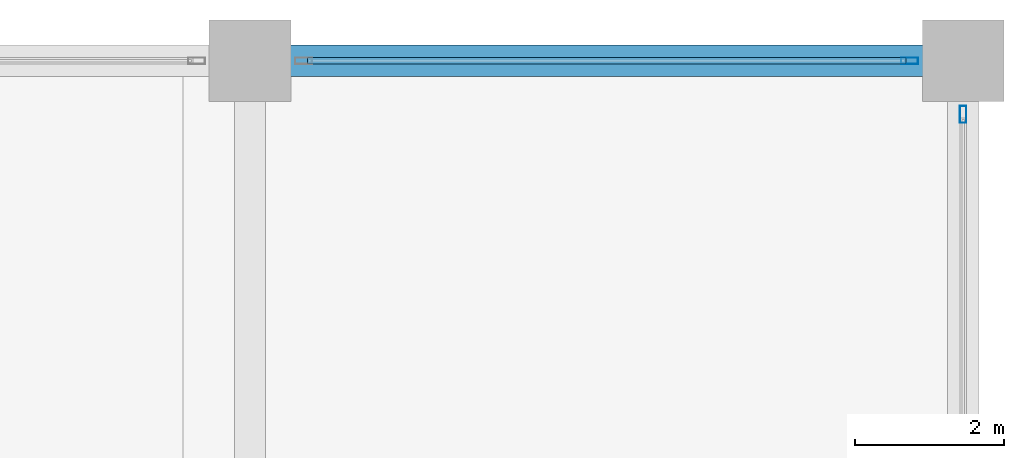
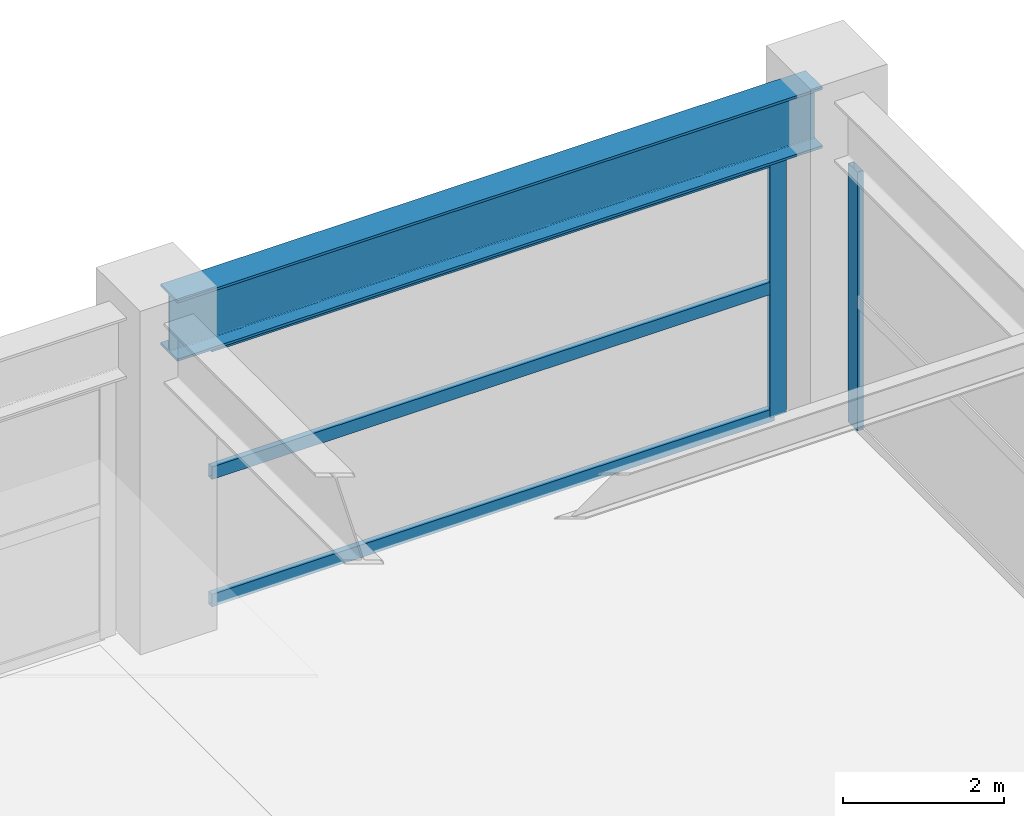
# One storey, part 28 of 35: 5 members, 1 beam, 2 elements without a shape of their own.
"""IFC4 building model written with IfcOpenShell, lengths in metres."""

from ifc_helpers import new_model, si_unit, direction, frame, origin, origin_2d, place, context, subcontext, project, spatial, hollow_rectangle, i_section, extrude, material, material_profile, profile_set, type_object, element, aggregate, save


model = new_model("IFC4")

# Units and contexts
model_context = context("Model", 3, precision=1e-05, world=origin(), true_north=direction((0.0, 1.0)))
body_context = subcontext(model_context, "Body", "Model", "MODEL_VIEW")
ifc_project = project(units=[si_unit("LENGTHUNIT", "METRE"), si_unit("AREAUNIT", "SQUARE_METRE"), si_unit("VOLUMEUNIT", "CUBIC_METRE"), si_unit("PLANEANGLEUNIT", "RADIAN"), si_unit("MASSUNIT", "GRAM", prefix="KILO")], contexts=[model_context])

# Site, building, storey
site_placement = place(None, origin())
site = spatial("IfcSite", under=ifc_project, at=site_placement, CompositionType="ELEMENT")
building_placement = place(site_placement, origin())
building = spatial("IfcBuilding", under=site, at=building_placement, Name="Kovane Verandah Tower", CompositionType="ELEMENT")
storey_placement = place(building_placement, frame((0.0, 0.0, 16.39990234375)))
storey = spatial("IfcBuildingStorey", under=building, at=storey_placement, Name="L03", CompositionType="ELEMENT", Elevation=16.39990234375)

# Beam
ifc_material_1 = material(Name="Steel S460", Category="steel")
ifc_material_profile_1 = material_profile(ifc_material_1, i_section(OverallWidth=0.42041015625, OverallDepth=0.9208984375, WebThickness=0.021484375, FlangeThickness=0.03662109375, FilletRadius=0.024169921875, at=origin_2d()), Name="UB914x419x388")
ifc_profile_set_1 = profile_set([ifc_material_profile_1], Name="Steel S460")
beam_type = type_object("IfcBeamType", Name="BM-UB914x388", PredefinedType="BEAM", material=ifc_profile_set_1)
beam_placement = place(storey_placement, frame((72.580078125, 56.5, 4.439697265625), z_axis=(1.0, 0.0, 0.0), x_axis=(0.0, 1.0, 0.0)))
element("IfcBeam", 1, at=beam_placement, inside=storey, type_object=beam_type, Name="L03 Podium Garden Transfer Girder X23", PredefinedType="BEAM", context=body_context, shape_type="SweptSolid", body=[
    extrude(i_section(OverallWidth=0.42041015625, OverallDepth=0.9208984375, WebThickness=0.021484375, FlangeThickness=0.03662109375, FilletRadius=0.024169921875, at=origin_2d()), origin(), (0.0, 0.0, 1.0), 9.239990234375),
])

# Curtain wall, member
ifc_material_2 = material(Name="Champagne Anodised Aluminium Frame with Low-E Clear Laminated Glass", Category="aluminium")
curtain_wall_type = type_object("IfcCurtainWallType", Name="CW-SYS-01-POD", PredefinedType="NOTDEFINED", material=ifc_material_2)
curtain_wall_1_placement = place(storey_placement, origin())
curtain_wall_1 = element("IfcCurtainWall", 2, at=curtain_wall_1_placement, inside=storey, type_object=curtain_wall_type, Name="L03 North Podium Curtain Wall Bay 7", PredefinedType="NOTDEFINED")
ifc_material_3 = material(Name="Champagne Anodised Aluminium 6063-T6", Category="aluminium")
ifc_material_profile_2 = material_profile(ifc_material_3, hollow_rectangle(XDim=0.0849609375, YDim=0.22998046875, WallThickness=0.00390625, at=origin_2d()), Name="AL85x230x4")
ifc_profile_set_2 = profile_set([ifc_material_profile_2], Name="Champagne Anodised Aluminium 6063-T6")
member_type_1 = type_object("IfcMemberType", Name="CW-MUL-85x230", PredefinedType="MULLION", material=ifc_profile_set_2)
member_1_placement = place(storey_placement, frame((81.280029296875, 56.5, 0.02001953125), z_axis=(0.0, 0.0, 1.0), x_axis=(0.0, 1.0, 0.0)))
member_1 = element("IfcMember", 3, at=member_1_placement, type_object=member_type_1, Name="L03 North Podium Curtain Wall Bay 7 Mullion 1", PredefinedType="MULLION", context=body_context, shape_type="SweptSolid", body=[
    extrude(hollow_rectangle(XDim=0.0849609375, YDim=0.22998046875, WallThickness=0.00390625, at=origin_2d()), origin(), (0.0, 0.0, 1.0), 3.919189453125),
])

curtain_wall_2_placement = place(storey_placement, origin())
curtain_wall_2 = element("IfcCurtainWall", 4, at=curtain_wall_2_placement, inside=storey, type_object=curtain_wall_type, Name="L03 East Podium Curtain Wall Bay 5", PredefinedType="NOTDEFINED")
member_2_placement = place(storey_placement, frame((82.0, 55.780029296875, 0.02001953125), z_axis=(0.0, 0.0, 1.0), x_axis=(1.0, 0.0, 0.0)))
member_2 = element("IfcMember", 5, at=member_2_placement, type_object=member_type_1, Name="L03 East Podium Curtain Wall Bay 5 Mullion 3", PredefinedType="MULLION", context=body_context, shape_type="SweptSolid", body=[
    extrude(hollow_rectangle(XDim=0.0849609375, YDim=0.22998046875, WallThickness=0.00390625, at=origin_2d()), origin(), (0.0, 0.0, 1.0), 3.919189453125),
])
aggregate(curtain_wall_2, [member_2])

# Member
ifc_material_profile_3 = material_profile(ifc_material_3, hollow_rectangle(XDim=0.0849609375, YDim=0.18994140625, WallThickness=0.00390625, at=origin_2d()), Name="AL85x190x4")
ifc_profile_set_3 = profile_set([ifc_material_profile_3], Name="Champagne Anodised Aluminium 6063-T6")
member_type_2 = type_object("IfcMemberType", Name="CW-TRN-85x190", PredefinedType="USERDEFINED", material=ifc_profile_set_3)
member_3_placement = place(storey_placement, frame((81.22998046875, 56.5, 0.050048828125), z_axis=(-1.0, 0.0, 0.0), x_axis=(0.0, -1.0, 0.0)))
member_3 = element("IfcMember", 6, at=member_3_placement, type_object=member_type_2, Name="L03 North Podium Curtain Wall Bay 7 Transom TB Bay 1", ObjectType="TRANSOM", PredefinedType="USERDEFINED", context=body_context, shape_type="SweptSolid", body=[
    extrude(hollow_rectangle(XDim=0.0849609375, YDim=0.18994140625, WallThickness=0.00390625, at=origin_2d()), origin(), (0.0, 0.0, 1.0), 8.06005859375),
])

member_4_placement = place(storey_placement, frame((81.22998046875, 56.5, 1.9794921875), z_axis=(-1.0, 0.0, 0.0), x_axis=(0.0, -1.0, 0.0)))
member_4 = element("IfcMember", 7, at=member_4_placement, type_object=member_type_2, Name="L03 North Podium Curtain Wall Bay 7 Transom TM Bay 1", ObjectType="TRANSOM", PredefinedType="USERDEFINED", context=body_context, shape_type="SweptSolid", body=[
    extrude(hollow_rectangle(XDim=0.0849609375, YDim=0.18994140625, WallThickness=0.00390625, at=origin_2d()), origin(), (0.0, 0.0, 1.0), 8.06005859375),
])

member_5_placement = place(storey_placement, frame((81.22998046875, 56.5, 3.9091796875), z_axis=(-1.0, 0.0, 0.0), x_axis=(0.0, -1.0, 0.0)))
member_5 = element("IfcMember", 8, at=member_5_placement, type_object=member_type_2, Name="L03 North Podium Curtain Wall Bay 7 Transom TT Bay 1", ObjectType="TRANSOM", PredefinedType="USERDEFINED", context=body_context, shape_type="SweptSolid", body=[
    extrude(hollow_rectangle(XDim=0.0849609375, YDim=0.18994140625, WallThickness=0.00390625, at=origin_2d()), origin(), (0.0, 0.0, 1.0), 8.06005859375),
])

aggregate(curtain_wall_1, [member_1, member_3, member_4, member_5])

save(model, "model.ifc")
